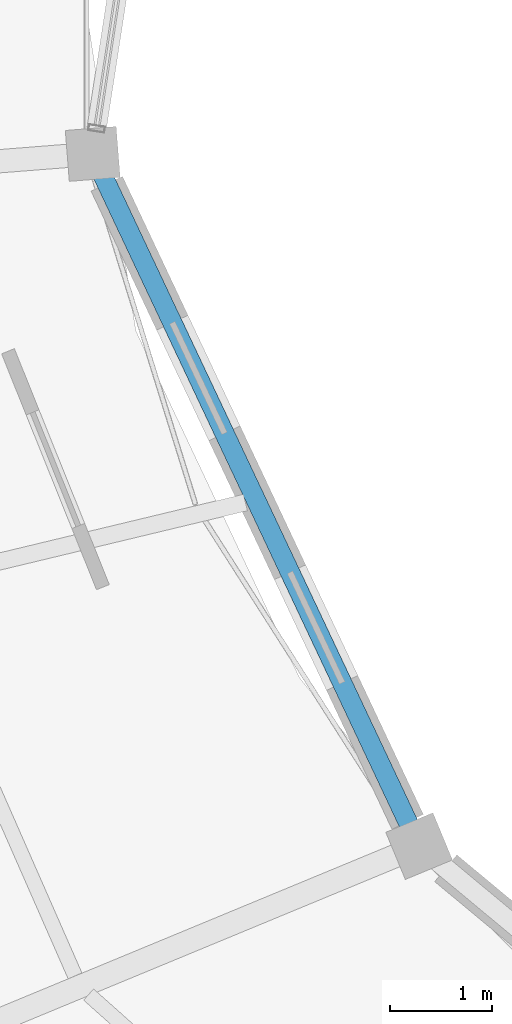
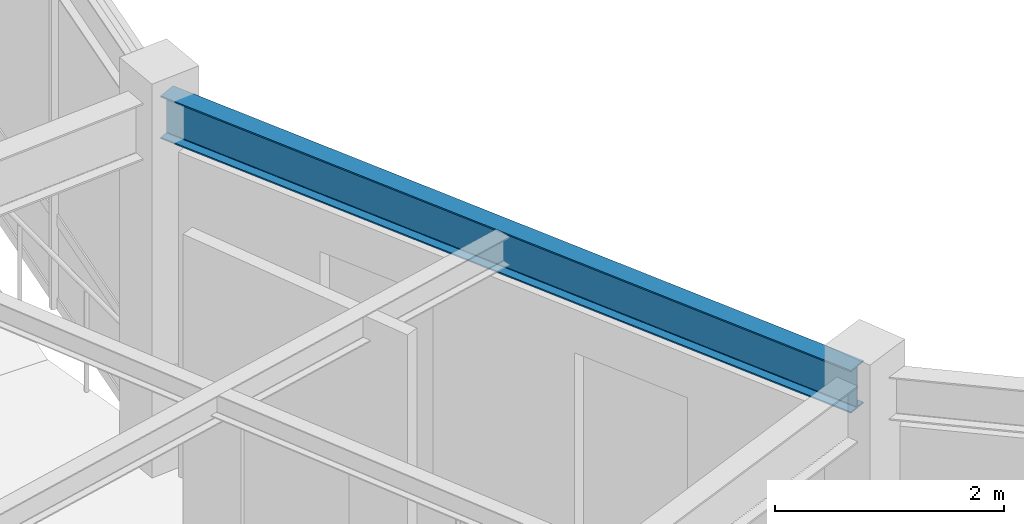
# One storey, part 11 of 78: 1 beam.
"""IFC4 building model written with IfcOpenShell, lengths in metres."""

from ifc_helpers import new_model, si_unit, direction, frame, origin, origin_2d, place, context, subcontext, project, spatial, i_section, extrude, material, material_profile, profile_set, type_object, element, save


model = new_model("IFC4")

# Units and contexts
model_context = context("Model", 3, precision=1e-05, world=origin(), true_north=direction((0.0, 1.0)))
body_context = subcontext(model_context, "Body", "Model", "MODEL_VIEW")
ifc_project = project(units=[si_unit("LENGTHUNIT", "METRE"), si_unit("AREAUNIT", "SQUARE_METRE"), si_unit("VOLUMEUNIT", "CUBIC_METRE"), si_unit("PLANEANGLEUNIT", "RADIAN"), si_unit("MASSUNIT", "GRAM", prefix="KILO"), si_unit("THERMODYNAMICTEMPERATUREUNIT", "KELVIN"), si_unit("POWERUNIT", "WATT")], contexts=[model_context])

# Site, building, storey
site_placement = place(None, origin())
site = spatial("IfcSite", under=ifc_project, at=site_placement, CompositionType="ELEMENT")
building_placement = place(site_placement, origin())
building = spatial("IfcBuilding", under=site, at=building_placement, Name="Darbajah Civic Hall", CompositionType="ELEMENT")
storey_placement = place(building_placement, frame((0.0, 0.0, 26.39990234375)))
storey = spatial("IfcBuildingStorey", under=building, at=storey_placement, Name="L06", CompositionType="ELEMENT", Elevation=26.39990234375)

# Beam
ifc_material = material(Name="Steel S355JR", Category="steel")
ifc_material_profile = material_profile(ifc_material, i_section(OverallWidth=0.1904296875, OverallDepth=0.45703125, WebThickness=0.009033203125, FlangeThickness=0.014404296875, FilletRadius=0.01025390625, at=origin_2d()), Name="UB 457x191x74")
ifc_profile_set = profile_set([ifc_material_profile], Name="Steel S355JR")
beam_type = type_object("IfcBeamType", Name="UB 457x191x74", PredefinedType="BEAM", material=ifc_profile_set)
beam_placement = place(storey_placement, frame((45.468994140625, 87.97802734375, 3.691650390625), z_axis=(0.426541677675, -0.904467908334, 0.0), x_axis=(0.904467908334, 0.426541677675, 0.0)))
element("IfcBeam", 1, at=beam_placement, inside=storey, type_object=beam_type, Name="L06 beam SB-457", PredefinedType="BEAM", context=body_context, shape_type="SweptSolid", body=[
    extrude(i_section(OverallWidth=0.1904296875, OverallDepth=0.45703125, WebThickness=0.009033203125, FlangeThickness=0.014404296875, FilletRadius=0.01025390625, at=origin_2d()), origin(), (0.0, 0.0, 1.0), 7.340576171875),
])

save(model, "model.ifc")
